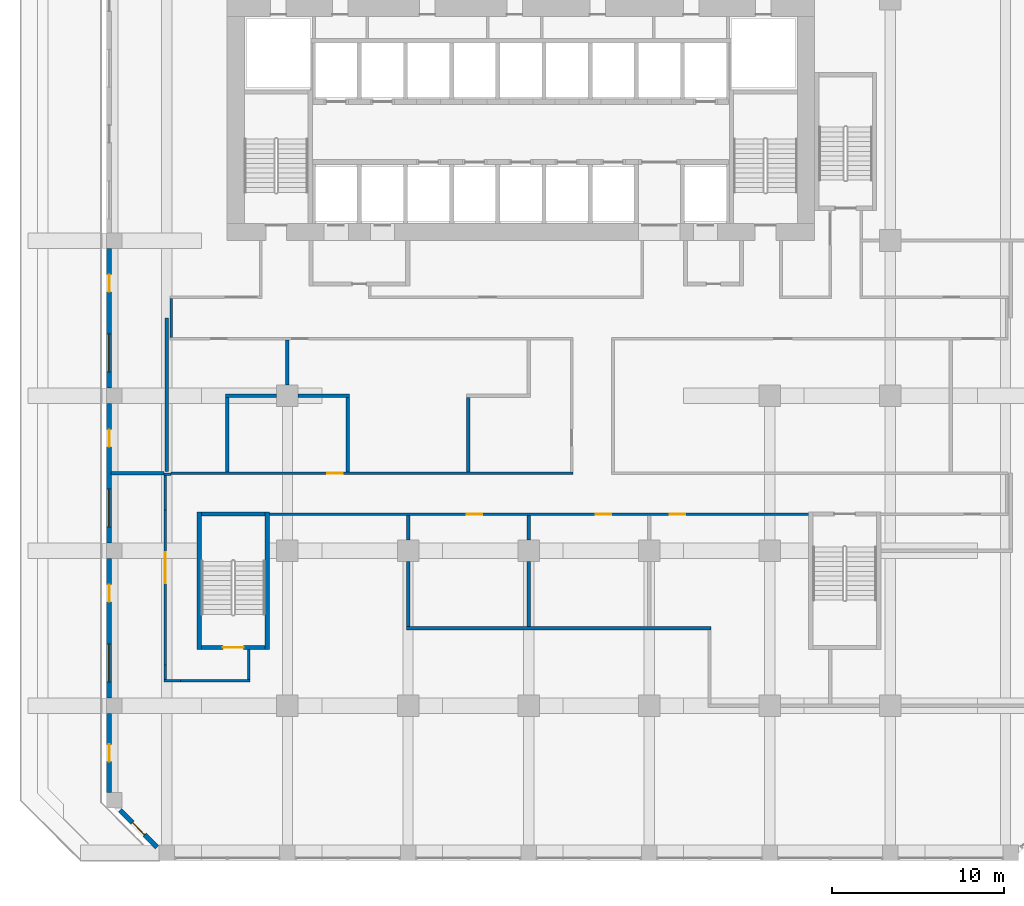
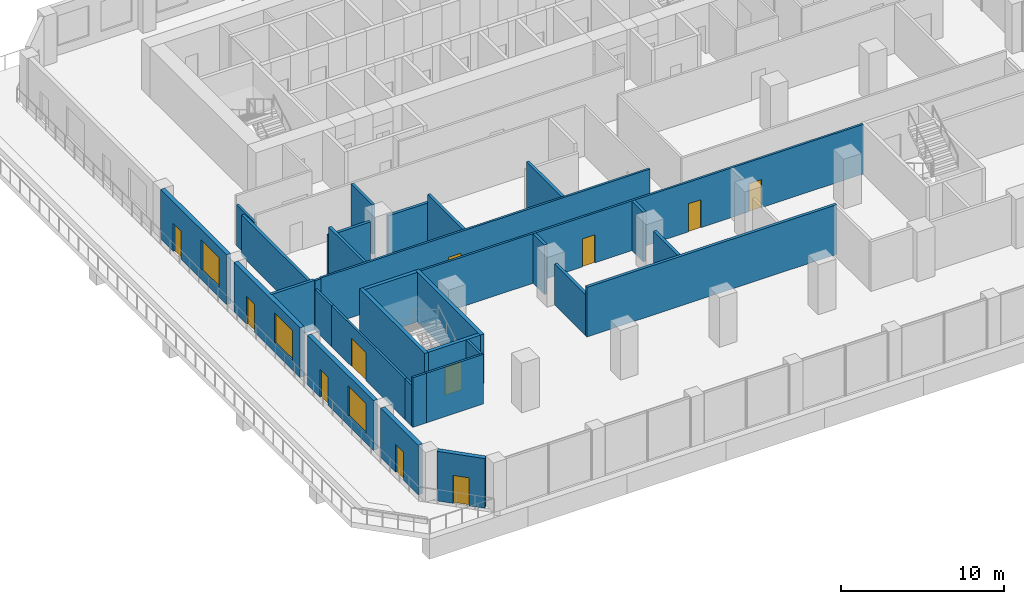
# One storey, part 12 of 20: 32 walls, 11 doors, 3 windows, 14 openings.
"""IFC4 building model written with IfcOpenShell, lengths in metres."""

from ifc_helpers import new_model, si_unit, direction, frame, frame_2d, origin, place, context, subcontext, project, spatial, rectangle, extrude, source, transform, mapped, material, layer, layer_set, type_object, element, fill, save


model = new_model("IFC4")

# Units and contexts
model_context = context("Model", 3, precision=1e-05, world=origin(), true_north=direction((0.0, 1.0)))
body_context = subcontext(model_context, "Body", "Model", "MODEL_VIEW")
ifc_project = project(units=[si_unit("LENGTHUNIT", "METRE"), si_unit("AREAUNIT", "SQUARE_METRE"), si_unit("VOLUMEUNIT", "CUBIC_METRE"), si_unit("PLANEANGLEUNIT", "RADIAN"), si_unit("MASSUNIT", "GRAM", prefix="KILO")], contexts=[model_context])

# Site, building, storey
site_placement = place(None, origin())
site = spatial("IfcSite", under=ifc_project, at=site_placement, CompositionType="ELEMENT")
building_placement = place(site_placement, origin())
building = spatial("IfcBuilding", under=site, at=building_placement, Name="Kilnfold Tower and Market Hall", CompositionType="ELEMENT")
storey_placement = place(building_placement, frame((0.0, 0.0, 63.199951171875)))
storey = spatial("IfcBuildingStorey", under=building, at=storey_placement, Name="L14", CompositionType="ELEMENT", Elevation=63.199951171875)

# Wall
ifc_material_1 = material(Name="Gypsum board on steel studs", Category="steel")
ifc_layer_1 = layer(ifc_material_1, 0.14990234375)
ifc_layer_set_1 = layer_set([ifc_layer_1], Name="Gypsum board on steel studs")
wall_type_1 = type_object("IfcWallType", Name="WALL CORRIDOR 150", PredefinedType="PARTITIONING", material=ifc_layer_set_1)
wall_1_placement = place(storey_placement, frame((-19.25, -5.572998046875, 0.0), z_axis=(0.0, 0.0, 1.0), x_axis=(-1.0, 0.0, 0.0)))
element("IfcWall", 1, at=wall_1_placement, inside=storey, type_object=wall_type_1, Name="Partition LY12.1", PredefinedType="PARTITIONING", context=body_context, shape_type="SweptSolid", body=[
    extrude(rectangle(XDim=0.427001953125, YDim=0.14990234375, at=frame_2d((0.21337890625, 0.0))), origin(), (0.0, 0.0, 1.0), 3.719970703125),
])

# Wall, openings, doors
wall_2_placement = place(storey_placement, frame((-13.60009765625, -7.89990234375, 0.0), z_axis=(0.0, 0.0, 1.0), x_axis=(1.0, 0.0, 0.0)))
wall_2 = element("IfcWall", 2, at=wall_2_placement, inside=storey, type_object=wall_type_1, Name="Partition LY12.2", PredefinedType="PARTITIONING", context=body_context, shape_type="SweptSolid", body=[
    extrude(rectangle(XDim=31.400146484375, YDim=0.14990234375, at=frame_2d((15.7001953125, 0.0))), origin(), (0.0, 0.0, 1.0), 3.719970703125),
])
opening_1_placement = place(wall_2_placement, frame((11.5009765625, 0.0, 0.0)))
opening_1 = element("IfcOpeningElement", 3, at=opening_1_placement, cuts=wall_2, Name="Opening D3", PredefinedType="OPENING", context=body_context, shape_type="SweptSolid", body=[
    extrude(rectangle(XDim=0.89990234375, YDim=2.10009765625, at=frame_2d((0.449951171875, 1.050048828125))), frame((0.0, 0.0849609375, 0.0), z_axis=(0.0, -1.0, 0.0), x_axis=(1.0, 0.0, 0.0)), (0.0, 0.0, 1.0), 0.169921875),
])
opening_2_placement = place(wall_2_placement, frame((19.0029296875, 0.0, 0.0)))
opening_2 = element("IfcOpeningElement", 4, at=opening_2_placement, cuts=wall_2, Name="Opening D2", PredefinedType="OPENING", context=body_context, shape_type="SweptSolid", body=[
    extrude(rectangle(XDim=0.89990234375, YDim=2.10009765625, at=frame_2d((0.449951171875, 1.050048828125))), frame((0.0, 0.0849609375, 0.0), z_axis=(0.0, -1.0, 0.0), x_axis=(1.0, 0.0, 0.0)), (0.0, 0.0, 1.0), 0.169921875),
])
opening_3_placement = place(wall_2_placement, frame((23.291015625, 0.0, 0.0)))
opening_3 = element("IfcOpeningElement", 5, at=opening_3_placement, cuts=wall_2, Name="Opening D2", PredefinedType="OPENING", context=body_context, shape_type="SweptSolid", body=[
    extrude(rectangle(XDim=0.89990234375, YDim=2.10009765625, at=frame_2d((0.449951171875, 1.050048828125))), frame((0.0, 0.0849609375, 0.0), z_axis=(0.0, -1.0, 0.0), x_axis=(1.0, 0.0, 0.0)), (0.0, 0.0, 1.0), 0.169921875),
])
ifc_material_2 = material(Name="Timber veneer door leaf in steel frame", Category="steel")
door_type_1 = type_object("IfcDoorType", Name="DOOR ROOM 900 X2100", OperationType="NOTDEFINED", PredefinedType="DOOR", material=ifc_material_2)
door_1_placement = place(opening_2_placement, origin())
door_1 = element("IfcDoor", 6, at=door_1_placement, inside=storey, type_object=door_type_1, Name="Door D2", OperationType="SINGLE_SWING_RIGHT", OverallHeight=2.10009765625, OverallWidth=0.89990234375, PredefinedType="DOOR", context=body_context, shape_type="SweptSolid", body=[
    extrude(rectangle(XDim=0.89990234375, YDim=2.10009765625, at=frame_2d((0.449951171875, 1.050048828125))), frame((0.0, 0.02490234375, 0.0), z_axis=(0.0, -1.0, 0.0), x_axis=(1.0, 0.0, 0.0)), (0.0, 0.0, 1.0), 0.050048828125),
])
fill(opening_2, door_1)
door_2_placement = place(opening_3_placement, origin())
door_2 = element("IfcDoor", 7, at=door_2_placement, inside=storey, type_object=door_type_1, Name="Door D2", OperationType="SINGLE_SWING_LEFT", OverallHeight=2.10009765625, OverallWidth=0.89990234375, PredefinedType="DOOR", context=body_context, shape_type="SweptSolid", body=[
    extrude(rectangle(XDim=0.89990234375, YDim=2.10009765625, at=frame_2d((0.449951171875, 1.050048828125))), frame((0.0, 0.02490234375, 0.0), z_axis=(0.0, -1.0, 0.0), x_axis=(1.0, 0.0, 0.0)), (0.0, 0.0, 1.0), 0.050048828125),
])
fill(opening_3, door_2)
ifc_material_3 = material(Name="Timber veneer door leaf in steel frame", Category="steel")
door_type_2 = type_object("IfcDoorType", Name="DOOR WC 900 X2100", OperationType="NOTDEFINED", PredefinedType="DOOR", material=ifc_material_3)
door_3_placement = place(opening_1_placement, origin())
door_3 = element("IfcDoor", 8, at=door_3_placement, inside=storey, type_object=door_type_2, Name="Door D3", OperationType="SINGLE_SWING_LEFT", OverallHeight=2.10009765625, OverallWidth=0.89990234375, PredefinedType="DOOR", context=body_context, shape_type="SweptSolid", body=[
    extrude(rectangle(XDim=0.89990234375, YDim=2.10009765625, at=frame_2d((0.449951171875, 1.050048828125))), frame((0.0, 0.02490234375, 0.0), z_axis=(0.0, -1.0, 0.0), x_axis=(1.0, 0.0, 0.0)), (0.0, 0.0, 1.0), 0.050048828125),
])
fill(opening_1, door_3)

# Walls
wall_3_placement = place(storey_placement, frame((-14.75, -17.47509765625, 0.0), z_axis=(0.0, 0.0, 1.0), x_axis=(0.0, 1.0, 0.0)))
element("IfcWall", 9, at=wall_3_placement, inside=storey, type_object=wall_type_1, Name="Partition LY12.3", PredefinedType="PARTITIONING", context=body_context, shape_type="SweptSolid", body=[
    extrude(rectangle(XDim=1.72509765625, YDim=0.14990234375, at=frame_2d((0.862548828125, 0.0))), origin(), (0.0, 0.0, 1.0), 3.719970703125),
])
wall_4_placement = place(storey_placement, frame((-18.697998046875, -17.550048828125, 0.0), z_axis=(0.0, 0.0, 1.0), x_axis=(1.0, 0.0, 0.0)))
element("IfcWall", 10, at=wall_4_placement, inside=storey, type_object=wall_type_1, Name="Partition LY12.4", PredefinedType="PARTITIONING", context=body_context, shape_type="SweptSolid", body=[
    extrude(rectangle(XDim=4.02294921875, YDim=0.14990234375, at=frame_2d((2.011474609375, 0.0))), origin(), (0.0, 0.0, 1.0), 3.719970703125),
])
wall_5_placement = place(storey_placement, frame((-19.677001953125, -17.552001953125, 0.0), z_axis=(0.0, 0.0, 1.0), x_axis=(1.0, 0.0, 0.0)))
element("IfcWall", 11, at=wall_5_placement, inside=storey, type_object=wall_type_1, Name="Partition LY12.5", PredefinedType="PARTITIONING", context=body_context, shape_type="SweptSolid", body=[
    extrude(rectangle(XDim=0.97900390625, YDim=0.14990234375, at=frame_2d((0.489501953125, 0.0))), origin(), (0.0, 0.0, 1.0), 3.719970703125),
])
wall_6_placement = place(storey_placement, frame((-19.60205078125, -17.47705078125, 0.0), z_axis=(0.0, 0.0, 1.0), x_axis=(0.0, 1.0, 0.0)))
element("IfcWall", 12, at=wall_6_placement, inside=storey, type_object=wall_type_1, Name="Partition LY12.6", PredefinedType="PARTITIONING", context=body_context, shape_type="SweptSolid", body=[
    extrude(rectangle(XDim=0.8291015625, YDim=0.14990234375, at=frame_2d((0.41455078125, 0.0))), origin(), (0.0, 0.0, 1.0), 3.070068359375),
])

# Wall, opening, door
wall_7_placement = place(storey_placement, frame((-19.60009765625, -7.652099609375, 0.0), z_axis=(0.0, 0.0, 1.0), x_axis=(0.0, -1.0, 0.0)))
wall_7 = element("IfcWall", 13, at=wall_7_placement, inside=storey, type_object=wall_type_1, Name="Partition LY12.7", PredefinedType="PARTITIONING", context=body_context, shape_type="SweptSolid", body=[
    extrude(rectangle(XDim=8.995849609375, YDim=0.14990234375, at=frame_2d((4.498046875, 0.0))), origin(), (0.0, 0.0, 1.0), 3.070068359375),
])
opening_4_placement = place(wall_7_placement, frame((2.431884765625, 0.0, 0.0)))
opening_4 = element("IfcOpeningElement", 14, at=opening_4_placement, cuts=wall_7, Name="Opening D5", PredefinedType="OPENING", context=body_context, shape_type="SweptSolid", body=[
    extrude(rectangle(XDim=1.800048828125, YDim=2.10009765625, at=frame_2d((0.89990234375, 1.050048828125))), frame((0.0, 0.0849609375, 0.0), z_axis=(0.0, -1.0, 0.0), x_axis=(1.0, 0.0, 0.0)), (0.0, 0.0, 1.0), 0.169921875),
])
ifc_material_4 = material(Name="Timber veneer door leaf in steel frame", Category="steel")
door_type_3 = type_object("IfcDoorType", Name="DOOR DOUBLE 1800 X2100", OperationType="NOTDEFINED", PredefinedType="DOOR", material=ifc_material_4)
door_4_placement = place(opening_4_placement, origin())
door_4 = element("IfcDoor", 15, at=door_4_placement, inside=storey, type_object=door_type_3, Name="Door D5", OperationType="DOUBLE_DOOR_SINGLE_SWING", OverallHeight=2.10009765625, OverallWidth=1.800048828125, PredefinedType="DOOR", context=body_context, shape_type="SweptSolid", body=[
    extrude(rectangle(XDim=1.800048828125, YDim=2.10009765625, at=frame_2d((0.89990234375, 1.050048828125))), frame((0.0, 0.02490234375, 0.0), z_axis=(0.0, -1.0, 0.0), x_axis=(1.0, 0.0, 0.0)), (0.0, 0.0, 1.0), 0.050048828125),
])
fill(opening_4, door_4)

# Wall
wall_8_placement = place(storey_placement, frame((-19.60205078125, -7.652099609375, 0.0), z_axis=(0.0, 0.0, 1.0), x_axis=(0.0, 1.0, 0.0)))
element("IfcWall", 16, at=wall_8_placement, inside=storey, type_object=wall_type_1, Name="Partition LY12.8", PredefinedType="PARTITIONING", context=body_context, shape_type="SweptSolid", body=[
    extrude(rectangle(XDim=2.004150390625, YDim=0.14990234375, at=frame_2d((1.001953125, 0.0))), origin(), (0.0, 0.0, 1.0), 3.070068359375),
])

# Wall, opening, door
wall_9_placement = place(storey_placement, frame((-19.25, -5.5, 0.0), z_axis=(0.0, 0.0, 1.0), x_axis=(1.0, 0.0, 0.0)))
wall_9 = element("IfcWall", 17, at=wall_9_placement, inside=storey, type_object=wall_type_1, Name="Partition LY12.9", PredefinedType="PARTITIONING", context=body_context, shape_type="SweptSolid", body=[
    extrude(rectangle(XDim=23.324951171875, YDim=0.14990234375, at=frame_2d((11.66259765625, 0.0))), origin(), (0.0, 0.0, 1.0), 3.719970703125),
])
opening_5_placement = place(wall_9_placement, frame((9.06005859375, 0.0, 0.0)))
opening_5 = element("IfcOpeningElement", 18, at=opening_5_placement, cuts=wall_9, Name="Opening D2", PredefinedType="OPENING", context=body_context, shape_type="SweptSolid", body=[
    extrude(rectangle(XDim=0.89990234375, YDim=2.10009765625, at=frame_2d((0.449951171875, 1.050048828125))), frame((0.0, 0.0849609375, 0.0), z_axis=(0.0, -1.0, 0.0), x_axis=(1.0, 0.0, 0.0)), (0.0, 0.0, 1.0), 0.169921875),
])
door_5_placement = place(opening_5_placement, origin())
door_5 = element("IfcDoor", 19, at=door_5_placement, inside=storey, type_object=door_type_1, Name="Door D2", OperationType="SINGLE_SWING_RIGHT", OverallHeight=2.10009765625, OverallWidth=0.89990234375, PredefinedType="DOOR", context=body_context, shape_type="SweptSolid", body=[
    extrude(rectangle(XDim=0.89990234375, YDim=2.10009765625, at=frame_2d((0.449951171875, 1.050048828125))), frame((0.0, 0.02490234375, 0.0), z_axis=(0.0, -1.0, 0.0), x_axis=(1.0, 0.0, 0.0)), (0.0, 0.0, 1.0), 0.050048828125),
])
fill(opening_5, door_5)

# Walls
wall_10_placement = place(storey_placement, frame((-19.25, 2.375, 0.0), z_axis=(0.0, 0.0, 1.0), x_axis=(0.0, 1.0, 0.0)))
element("IfcWall", 20, at=wall_10_placement, inside=storey, type_object=wall_type_1, Name="Partition LY12.11", PredefinedType="PARTITIONING", context=body_context, shape_type="SweptSolid", body=[
    extrude(rectangle(XDim=2.25, YDim=0.14990234375, at=frame_2d((1.125, 0.0))), origin(), (0.0, 0.0, 1.0), 3.070068359375),
])
ifc_material_5 = material(Name="Gypsum board on steel studs", Category="steel")
ifc_layer_2 = layer(ifc_material_5, 0.199951171875)
ifc_layer_set_2 = layer_set([ifc_layer_2], Name="Gypsum board on steel studs")
wall_type_2 = type_object("IfcWallType", Name="WALL PARTY 200", PredefinedType="PARTITIONING", material=ifc_layer_set_2)
wall_11_placement = place(storey_placement, frame((-19.677001953125, -5.5, 0.0), z_axis=(0.0, 0.0, 1.0), x_axis=(-1.0, 0.0, 0.0)))
element("IfcWall", 21, at=wall_11_placement, inside=storey, type_object=wall_type_2, Name="Partition LY12.30", PredefinedType="PARTITIONING", context=body_context, shape_type="SweptSolid", body=[
    extrude(rectangle(XDim=3.072998046875, YDim=0.199951171875, at=frame_2d((1.53662109375, 0.0))), origin(), (0.0, 0.0, 1.0), 3.719970703125),
])
wall_12_placement = place(storey_placement, frame((-5.5, -9.375, 0.0), z_axis=(0.0, 0.0, 1.0), x_axis=(0.0, 1.0, 0.0)))
element("IfcWall", 22, at=wall_12_placement, inside=storey, type_object=wall_type_2, Name="Partition LY12.31", PredefinedType="PARTITIONING", context=body_context, shape_type="SweptSolid", body=[
    extrude(rectangle(XDim=1.39892578125, YDim=0.199951171875, at=frame_2d((0.699462890625, 0.0))), origin(), (0.0, 0.0, 1.0), 3.719970703125),
])
wall_13_placement = place(storey_placement, frame((-5.5, -14.39990234375, 0.0), z_axis=(0.0, 0.0, 1.0), x_axis=(0.0, 1.0, 0.0)))
element("IfcWall", 23, at=wall_13_placement, inside=storey, type_object=wall_type_2, Name="Partition LY12.32", PredefinedType="PARTITIONING", context=body_context, shape_type="SweptSolid", body=[
    extrude(rectangle(XDim=3.77490234375, YDim=0.199951171875, at=frame_2d((1.887451171875, 0.0))), origin(), (0.0, 0.0, 1.0), 3.070068359375),
])
wall_14_placement = place(storey_placement, frame((-5.60009765625, -14.5, 0.0), z_axis=(0.0, 0.0, 1.0), x_axis=(1.0, 0.0, 0.0)))
element("IfcWall", 24, at=wall_14_placement, inside=storey, type_object=wall_type_2, Name="Partition LY12.33", PredefinedType="PARTITIONING", context=body_context, shape_type="SweptSolid", body=[
    extrude(rectangle(XDim=17.7001953125, YDim=0.199951171875, at=frame_2d((8.85009765625, 0.0))), origin(), (0.0, 0.0, 1.0), 3.719970703125),
])
wall_15_placement = place(storey_placement, frame((-19.5, 3.5, 0.0), z_axis=(0.0, 0.0, 1.0), x_axis=(0.0, -1.0, 0.0)))
element("IfcWall", 25, at=wall_15_placement, inside=storey, type_object=wall_type_2, Name="Partition LY12.38", PredefinedType="PARTITIONING", context=body_context, shape_type="SweptSolid", body=[
    extrude(rectangle(XDim=8.89990234375, YDim=0.199951171875, at=frame_2d((4.449951171875, 0.0))), origin(), (0.0, 0.0, 1.0), 3.070068359375),
])
wall_16_placement = place(storey_placement, frame((-16.10009765625, -1.0, 0.0), z_axis=(0.0, 0.0, 1.0), x_axis=(1.0, 0.0, 0.0)))
element("IfcWall", 26, at=wall_16_placement, inside=storey, type_object=wall_type_2, Name="Partition LY12.39", PredefinedType="PARTITIONING", context=body_context, shape_type="SweptSolid", body=[
    extrude(rectangle(XDim=2.97509765625, YDim=0.199951171875, at=frame_2d((1.487548828125, 0.0))), origin(), (0.0, 0.0, 1.0), 3.070068359375),
])
wall_17_placement = place(storey_placement, frame((-16.0, -5.424072265625, 0.0), z_axis=(0.0, 0.0, 1.0), x_axis=(0.0, 1.0, 0.0)))
element("IfcWall", 27, at=wall_17_placement, inside=storey, type_object=wall_type_2, Name="Partition LY12.40", PredefinedType="PARTITIONING", context=body_context, shape_type="SweptSolid", body=[
    extrude(rectangle(XDim=4.323974609375, YDim=0.199951171875, at=frame_2d((2.162109375, 0.0))), origin(), (0.0, 0.0, 1.0), 3.719970703125),
])
wall_18_placement = place(storey_placement, frame((-12.5, -0.375, 0.0), z_axis=(0.0, 0.0, 1.0), x_axis=(0.0, 1.0, 0.0)))
element("IfcWall", 28, at=wall_18_placement, inside=storey, type_object=wall_type_2, Name="Partition LY12.41", PredefinedType="PARTITIONING", context=body_context, shape_type="SweptSolid", body=[
    extrude(rectangle(XDim=2.59912109375, YDim=0.199951171875, at=frame_2d((1.299560546875, 0.0))), origin(), (0.0, 0.0, 1.0), 3.719970703125),
])
wall_19_placement = place(storey_placement, frame((-9.0, -5.424072265625, 0.0), z_axis=(0.0, 0.0, 1.0), x_axis=(0.0, 1.0, 0.0)))
element("IfcWall", 29, at=wall_19_placement, inside=storey, type_object=wall_type_2, Name="Partition LY12.44", PredefinedType="PARTITIONING", context=body_context, shape_type="SweptSolid", body=[
    extrude(rectangle(XDim=4.323974609375, YDim=0.199951171875, at=frame_2d((2.162109375, 0.0))), origin(), (0.0, 0.0, 1.0), 3.719970703125),
])
wall_20_placement = place(storey_placement, frame((-11.875, -1.0, 0.0), z_axis=(0.0, 0.0, 1.0), x_axis=(1.0, 0.0, 0.0)))
element("IfcWall", 30, at=wall_20_placement, inside=storey, type_object=wall_type_2, Name="Partition LY12.45", PredefinedType="PARTITIONING", context=body_context, shape_type="SweptSolid", body=[
    extrude(rectangle(XDim=2.97509765625, YDim=0.199951171875, at=frame_2d((1.487548828125, 0.0))), origin(), (0.0, 0.0, 1.0), 3.070068359375),
])
wall_21_placement = place(storey_placement, frame((-2.0, -5.424072265625, 0.0), z_axis=(0.0, 0.0, 1.0), x_axis=(0.0, 1.0, 0.0)))
element("IfcWall", 31, at=wall_21_placement, inside=storey, type_object=wall_type_2, Name="Partition LY12.48", PredefinedType="PARTITIONING", context=body_context, shape_type="SweptSolid", body=[
    extrude(rectangle(XDim=4.323974609375, YDim=0.199951171875, at=frame_2d((2.162109375, 0.0))), origin(), (0.0, 0.0, 1.0), 3.719970703125),
])
wall_22_placement = place(storey_placement, frame((1.5, -9.375, 0.0), z_axis=(0.0, 0.0, 1.0), x_axis=(0.0, 1.0, 0.0)))
element("IfcWall", 32, at=wall_22_placement, inside=storey, type_object=wall_type_2, Name="Partition LY12.49", PredefinedType="PARTITIONING", context=body_context, shape_type="SweptSolid", body=[
    extrude(rectangle(XDim=1.39892578125, YDim=0.199951171875, at=frame_2d((0.699462890625, 0.0))), origin(), (0.0, 0.0, 1.0), 3.719970703125),
])
wall_23_placement = place(storey_placement, frame((1.5, -14.39990234375, 0.0), z_axis=(0.0, 0.0, 1.0), x_axis=(0.0, 1.0, 0.0)))
element("IfcWall", 33, at=wall_23_placement, inside=storey, type_object=wall_type_2, Name="Partition LY12.50", PredefinedType="PARTITIONING", context=body_context, shape_type="SweptSolid", body=[
    extrude(rectangle(XDim=3.77490234375, YDim=0.199951171875, at=frame_2d((1.887451171875, 0.0))), origin(), (0.0, 0.0, 1.0), 3.070068359375),
])

# Wall, opening, door
ifc_material_6 = material(Name="Concrete C80", Category="concrete")
ifc_layer_3 = layer(ifc_material_6, 0.25)
ifc_layer_set_3 = layer_set([ifc_layer_3], Name="Concrete C80")
wall_type_3 = type_object("IfcWallType", Name="CORE WALL 250 C80", PredefinedType="SHEAR", material=ifc_layer_set_3)
shared_shape_1 = source(origin(), body_context, "Body", "SweptSolid", [
    extrude(rectangle(XDim=3.699951171875, YDim=0.25, at=frame_2d((1.85009765625, 0.0))), origin(), (0.0, 0.0, 1.0), 3.719970703125),
])
wall_24_placement = place(storey_placement, frame((-17.5, -15.625, 0.0), z_axis=(0.0, 0.0, 1.0), x_axis=(1.0, 0.0, 0.0)))
wall_24 = element("IfcWall", 34, at=wall_24_placement, inside=storey, type_object=wall_type_3, Name="Stair enclosure ST3", PredefinedType="SHEAR", context=body_context, shape_type="MappedRepresentation", body=[
    mapped(shared_shape_1, transform((0.0, 0.0, 0.0))),
])
opening_6_placement = place(wall_24_placement, frame((1.25, 0.0, 0.0)))
opening_6 = element("IfcOpeningElement", 35, at=opening_6_placement, cuts=wall_24, Name="Opening SD1", PredefinedType="OPENING", context=body_context, shape_type="SweptSolid", body=[
    extrude(rectangle(XDim=1.199951171875, YDim=2.10009765625, at=frame_2d((0.60009765625, 1.050048828125))), frame((0.0, 0.135009765625, 0.0), z_axis=(0.0, -1.0, 0.0), x_axis=(1.0, 0.0, 0.0)), (0.0, 0.0, 1.0), 0.27001953125),
])
ifc_material_7 = material(Name="Steel door set with fire-resisting leaf", Category="steel")
door_type_4 = type_object("IfcDoorType", Name="STAIR FLOOR DOOR 1200X2100", OperationType="NOTDEFINED", PredefinedType="DOOR", material=ifc_material_7)
door_6_placement = place(opening_6_placement, origin())
door_6 = element("IfcDoor", 36, at=door_6_placement, inside=storey, type_object=door_type_4, Name="Exit stair ST3 door", OperationType="DOUBLE_DOOR_SINGLE_SWING", OverallHeight=2.10009765625, OverallWidth=1.199951171875, PredefinedType="DOOR", context=body_context, shape_type="SweptSolid", body=[
    extrude(rectangle(XDim=1.199951171875, YDim=2.10009765625, at=frame_2d((0.60009765625, 1.050048828125))), frame((0.0, 0.02490234375, 0.0), z_axis=(0.0, -1.0, 0.0), x_axis=(1.0, 0.0, 0.0)), (0.0, 0.0, 1.0), 0.050048828125),
])
fill(opening_6, door_6)

# Walls
wall_25_placement = place(storey_placement, frame((-17.5, -7.875, 0.0), z_axis=(0.0, 0.0, 1.0), x_axis=(1.0, 0.0, 0.0)))
element("IfcWall", 37, at=wall_25_placement, inside=storey, type_object=wall_type_3, Name="Stair enclosure ST3", PredefinedType="SHEAR", context=body_context, shape_type="MappedRepresentation", body=[
    mapped(shared_shape_1, transform((0.0, 0.0, 0.0))),
])
shared_shape_2 = source(origin(), body_context, "Body", "SweptSolid", [
    extrude(rectangle(XDim=8.0, YDim=0.25, at=frame_2d((4.0, 0.0))), origin(), (0.0, 0.0, 1.0), 3.719970703125),
])
for number, where, z_axis, x_axis, name in (
    (38, (-17.625, -15.75, 0.0), (0.0, 0.0, 1.0), (0.0, 1.0, 0.0), "Stair enclosure ST3"),
    (39, (-13.675048828125, -15.75, 0.0), (0.0, 0.0, 1.0), (0.0, 1.0, 0.0), "Stair enclosure ST3"),
):
    element("IfcWall", number, at=place(storey_placement, frame(where, z_axis=z_axis, x_axis=x_axis)), inside=storey, type_object=wall_type_3, Name=name, PredefinedType="SHEAR", context=body_context, shape_type="MappedRepresentation", body=[
        mapped(shared_shape_2, transform((0.0, 0.0, 0.0))),
    ])

# Wall, openings, door, window
ifc_material_8 = material(Name="Precast concrete C50/60", Category="concrete")
ifc_layer_4 = layer(ifc_material_8, 0.300048828125)
ifc_layer_set_4 = layer_set([ifc_layer_4], Name="Precast concrete C50/60")
wall_type_4 = type_object("IfcWallType", Name="PRECAST WALL 300", PredefinedType="SOLIDWALL", material=ifc_layer_set_4)
shared_shape_3 = source(origin(), body_context, "Body", "SweptSolid", [
    extrude(rectangle(XDim=8.10009765625, YDim=0.300048828125, at=frame_2d((4.050048828125, 0.0))), origin(), (0.0, 0.0, 1.0), 3.719970703125),
])
wall_26_placement = place(storey_placement, frame((-22.85009765625, 7.550048828125, 0.0), z_axis=(0.0, 0.0, 1.0), x_axis=(0.0, -1.0, 0.0)))
wall_26 = element("IfcWall", 40, at=wall_26_placement, inside=storey, type_object=wall_type_4, Name="External wall L14 W", PredefinedType="SOLIDWALL", context=body_context, shape_type="MappedRepresentation", body=[
    mapped(shared_shape_3, transform((0.0, 0.0, 0.0))),
])
opening_7_placement = place(wall_26_placement, frame((1.52490234375, 0.0, 0.0)))
opening_7 = element("IfcOpeningElement", 41, at=opening_7_placement, cuts=wall_26, Name="Opening BD1", PredefinedType="OPENING", context=body_context, shape_type="SweptSolid", body=[
    extrude(rectangle(XDim=1.0, YDim=2.10009765625, at=frame_2d((0.5, 1.050048828125))), frame((0.0, 0.16015625, 0.0), z_axis=(0.0, -1.0, 0.0), x_axis=(1.0, 0.0, 0.0)), (0.0, 0.0, 1.0), 0.320068359375),
])
opening_8_placement = place(wall_26_placement, frame((4.97509765625, 0.0, 0.699951171875)))
opening_8 = element("IfcOpeningElement", 42, at=opening_8_placement, cuts=wall_26, Name="Opening W1", PredefinedType="OPENING", context=body_context, shape_type="SweptSolid", body=[
    extrude(rectangle(XDim=2.199951171875, YDim=2.25, at=frame_2d((1.10009765625, 1.125))), frame((0.0, 0.16015625, 0.0), z_axis=(0.0, -1.0, 0.0), x_axis=(1.0, 0.0, 0.0)), (0.0, 0.0, 1.0), 0.320068359375),
])
ifc_material_9 = material(Name="Aluminium frame and double glazing", Category="aluminium")
door_type_5 = type_object("IfcDoorType", Name="BALCONY DOOR 1000X2100", OperationType="NOTDEFINED", PredefinedType="DOOR", material=ifc_material_9)
door_7_placement = place(opening_7_placement, origin())
door_7 = element("IfcDoor", 43, at=door_7_placement, inside=storey, type_object=door_type_5, Name="Balcony door BD1 L14 W-1", OperationType="SINGLE_SWING_LEFT", OverallHeight=2.10009765625, OverallWidth=1.0, PredefinedType="DOOR", context=body_context, shape_type="SweptSolid", body=[
    extrude(rectangle(XDim=1.0, YDim=2.10009765625, at=frame_2d((0.5, 1.050048828125))), frame((0.0, 0.02490234375, 0.0), z_axis=(0.0, -1.0, 0.0), x_axis=(1.0, 0.0, 0.0)), (0.0, 0.0, 1.0), 0.050048828125),
])
fill(opening_7, door_7)
ifc_material_10 = material(Name="Aluminium frame and double glazing", Category="aluminium")
window_type = type_object("IfcWindowType", Name="WINDOW W1 2200X2250", PartitioningType="SINGLE_PANEL", PredefinedType="WINDOW", material=ifc_material_10)
window_1_placement = place(opening_8_placement, origin())
window_1 = element("IfcWindow", 44, at=window_1_placement, inside=storey, type_object=window_type, Name="Window W1 L14 W-2", OverallHeight=2.25, OverallWidth=2.199951171875, PartitioningType="SINGLE_PANEL", PredefinedType="WINDOW", context=body_context, shape_type="SweptSolid", body=[
    extrude(rectangle(XDim=2.199951171875, YDim=2.25, at=frame_2d((1.10009765625, 1.125))), frame((0.0, 0.030029296875, 0.0), z_axis=(0.0, -1.0, 0.0), x_axis=(1.0, 0.0, 0.0)), (0.0, 0.0, 1.0), 0.06005859375),
])
fill(opening_8, window_1)

wall_27_placement = place(storey_placement, frame((-22.85009765625, -1.449951171875, 0.0), z_axis=(0.0, 0.0, 1.0), x_axis=(0.0, -1.0, 0.0)))
wall_27 = element("IfcWall", 45, at=wall_27_placement, inside=storey, type_object=wall_type_4, Name="External wall L14 W", PredefinedType="SOLIDWALL", context=body_context, shape_type="MappedRepresentation", body=[
    mapped(shared_shape_3, transform((0.0, 0.0, 0.0))),
])
opening_9_placement = place(wall_27_placement, frame((1.52490234375, 0.0, 0.0)))
opening_9 = element("IfcOpeningElement", 46, at=opening_9_placement, cuts=wall_27, Name="Opening BD1", PredefinedType="OPENING", context=body_context, shape_type="SweptSolid", body=[
    extrude(rectangle(XDim=1.0, YDim=2.10009765625, at=frame_2d((0.5, 1.050048828125))), frame((0.0, 0.16015625, 0.0), z_axis=(0.0, -1.0, 0.0), x_axis=(1.0, 0.0, 0.0)), (0.0, 0.0, 1.0), 0.320068359375),
])
opening_10_placement = place(wall_27_placement, frame((4.97509765625, 0.0, 0.699951171875)))
opening_10 = element("IfcOpeningElement", 47, at=opening_10_placement, cuts=wall_27, Name="Opening W1", PredefinedType="OPENING", context=body_context, shape_type="SweptSolid", body=[
    extrude(rectangle(XDim=2.199951171875, YDim=2.25, at=frame_2d((1.10009765625, 1.125))), frame((0.0, 0.16015625, 0.0), z_axis=(0.0, -1.0, 0.0), x_axis=(1.0, 0.0, 0.0)), (0.0, 0.0, 1.0), 0.320068359375),
])
door_8_placement = place(opening_9_placement, origin())
door_8 = element("IfcDoor", 48, at=door_8_placement, inside=storey, type_object=door_type_5, Name="Balcony door BD1 L14 W-1", OperationType="SINGLE_SWING_LEFT", OverallHeight=2.10009765625, OverallWidth=1.0, PredefinedType="DOOR", context=body_context, shape_type="SweptSolid", body=[
    extrude(rectangle(XDim=1.0, YDim=2.10009765625, at=frame_2d((0.5, 1.050048828125))), frame((0.0, 0.02490234375, 0.0), z_axis=(0.0, -1.0, 0.0), x_axis=(1.0, 0.0, 0.0)), (0.0, 0.0, 1.0), 0.050048828125),
])
fill(opening_9, door_8)
window_2_placement = place(opening_10_placement, origin())
window_2 = element("IfcWindow", 49, at=window_2_placement, inside=storey, type_object=window_type, Name="Window W1 L14 W-2", OverallHeight=2.25, OverallWidth=2.199951171875, PartitioningType="SINGLE_PANEL", PredefinedType="WINDOW", context=body_context, shape_type="SweptSolid", body=[
    extrude(rectangle(XDim=2.199951171875, YDim=2.25, at=frame_2d((1.10009765625, 1.125))), frame((0.0, 0.030029296875, 0.0), z_axis=(0.0, -1.0, 0.0), x_axis=(1.0, 0.0, 0.0)), (0.0, 0.0, 1.0), 0.06005859375),
])
fill(opening_10, window_2)

wall_28_placement = place(storey_placement, frame((-22.85009765625, -10.449951171875, 0.0), z_axis=(0.0, 0.0, 1.0), x_axis=(0.0, -1.0, 0.0)))
wall_28 = element("IfcWall", 50, at=wall_28_placement, inside=storey, type_object=wall_type_4, Name="External wall L14 W", PredefinedType="SOLIDWALL", context=body_context, shape_type="MappedRepresentation", body=[
    mapped(shared_shape_3, transform((0.0, 0.0, 0.0))),
])
opening_11_placement = place(wall_28_placement, frame((1.52490234375, 0.0, 0.0)))
opening_11 = element("IfcOpeningElement", 51, at=opening_11_placement, cuts=wall_28, Name="Opening BD1", PredefinedType="OPENING", context=body_context, shape_type="SweptSolid", body=[
    extrude(rectangle(XDim=1.0, YDim=2.10009765625, at=frame_2d((0.5, 1.050048828125))), frame((0.0, 0.16015625, 0.0), z_axis=(0.0, -1.0, 0.0), x_axis=(1.0, 0.0, 0.0)), (0.0, 0.0, 1.0), 0.320068359375),
])
opening_12_placement = place(wall_28_placement, frame((4.97509765625, 0.0, 0.699951171875)))
opening_12 = element("IfcOpeningElement", 52, at=opening_12_placement, cuts=wall_28, Name="Opening W1", PredefinedType="OPENING", context=body_context, shape_type="SweptSolid", body=[
    extrude(rectangle(XDim=2.199951171875, YDim=2.25, at=frame_2d((1.10009765625, 1.125))), frame((0.0, 0.16015625, 0.0), z_axis=(0.0, -1.0, 0.0), x_axis=(1.0, 0.0, 0.0)), (0.0, 0.0, 1.0), 0.320068359375),
])
door_9_placement = place(opening_11_placement, origin())
door_9 = element("IfcDoor", 53, at=door_9_placement, inside=storey, type_object=door_type_5, Name="Balcony door BD1 L14 W-1", OperationType="SINGLE_SWING_LEFT", OverallHeight=2.10009765625, OverallWidth=1.0, PredefinedType="DOOR", context=body_context, shape_type="SweptSolid", body=[
    extrude(rectangle(XDim=1.0, YDim=2.10009765625, at=frame_2d((0.5, 1.050048828125))), frame((0.0, 0.02490234375, 0.0), z_axis=(0.0, -1.0, 0.0), x_axis=(1.0, 0.0, 0.0)), (0.0, 0.0, 1.0), 0.050048828125),
])
fill(opening_11, door_9)
window_3_placement = place(opening_12_placement, origin())
window_3 = element("IfcWindow", 54, at=window_3_placement, inside=storey, type_object=window_type, Name="Window W1 L14 W-2", OverallHeight=2.25, OverallWidth=2.199951171875, PartitioningType="SINGLE_PANEL", PredefinedType="WINDOW", context=body_context, shape_type="SweptSolid", body=[
    extrude(rectangle(XDim=2.199951171875, YDim=2.25, at=frame_2d((1.10009765625, 1.125))), frame((0.0, 0.030029296875, 0.0), z_axis=(0.0, -1.0, 0.0), x_axis=(1.0, 0.0, 0.0)), (0.0, 0.0, 1.0), 0.06005859375),
])
fill(opening_12, window_3)

# Wall, opening, door
shared_shape_4 = source(origin(), body_context, "Body", "SweptSolid", [
    extrude(rectangle(XDim=4.60009765625, YDim=0.300048828125, at=frame_2d((2.300048828125, 0.0))), origin(), (0.0, 0.0, 1.0), 3.719970703125),
])
wall_29_placement = place(storey_placement, frame((-22.85009765625, -19.449951171875, 0.0), z_axis=(0.0, 0.0, 1.0), x_axis=(0.0, -1.0, 0.0)))
wall_29 = element("IfcWall", 55, at=wall_29_placement, inside=storey, type_object=wall_type_4, Name="External wall L14 W", PredefinedType="SOLIDWALL", context=body_context, shape_type="MappedRepresentation", body=[
    mapped(shared_shape_4, transform((0.0, 0.0, 0.0))),
])
opening_13_placement = place(wall_29_placement, frame((1.800048828125, 0.0, 0.0)))
opening_13 = element("IfcOpeningElement", 56, at=opening_13_placement, cuts=wall_29, Name="Opening BD1", PredefinedType="OPENING", context=body_context, shape_type="SweptSolid", body=[
    extrude(rectangle(XDim=1.0, YDim=2.10009765625, at=frame_2d((0.5, 1.050048828125))), frame((0.0, 0.16015625, 0.0), z_axis=(0.0, -1.0, 0.0), x_axis=(1.0, 0.0, 0.0)), (0.0, 0.0, 1.0), 0.320068359375),
])
door_10_placement = place(opening_13_placement, origin())
door_10 = element("IfcDoor", 57, at=door_10_placement, inside=storey, type_object=door_type_5, Name="Balcony door BD1 L14 W-1", OperationType="SINGLE_SWING_LEFT", OverallHeight=2.10009765625, OverallWidth=1.0, PredefinedType="DOOR", context=body_context, shape_type="SweptSolid", body=[
    extrude(rectangle(XDim=1.0, YDim=2.10009765625, at=frame_2d((0.5, 1.050048828125))), frame((0.0, 0.02490234375, 0.0), z_axis=(0.0, -1.0, 0.0), x_axis=(1.0, 0.0, 0.0)), (0.0, 0.0, 1.0), 0.050048828125),
])
fill(opening_13, door_10)

shared_shape_5 = source(origin(), body_context, "Body", "SweptSolid", [
    extrude(rectangle(XDim=3.040771484375, YDim=0.300048828125, at=frame_2d((1.5205078125, 0.0))), origin(), (0.0, 0.0, 1.0), 3.719970703125),
])
wall_30_placement = place(storey_placement, frame((-22.218994140625, -25.06884765625, 0.0), z_axis=(0.0, 0.0, 1.0), x_axis=(0.707106781187, -0.707106781187, 0.0)))
wall_30 = element("IfcWall", 58, at=wall_30_placement, inside=storey, type_object=wall_type_4, Name="External wall L14 SW", PredefinedType="SOLIDWALL", context=body_context, shape_type="MappedRepresentation", body=[
    mapped(shared_shape_5, transform((0.0, 0.0, 0.0))),
])
opening_14_placement = place(wall_30_placement, frame((1.020263671875, 0.0, 0.0)))
opening_14 = element("IfcOpeningElement", 59, at=opening_14_placement, cuts=wall_30, Name="Opening BD1", PredefinedType="OPENING", context=body_context, shape_type="SweptSolid", body=[
    extrude(rectangle(XDim=1.0, YDim=2.10009765625, at=frame_2d((0.5, 1.050048828125))), frame((0.0, 0.16015625, 0.0), z_axis=(0.0, -1.0, 0.0), x_axis=(1.0, 0.0, 0.0)), (0.0, 0.0, 1.0), 0.320068359375),
])
door_11_placement = place(opening_14_placement, origin())
door_11 = element("IfcDoor", 60, at=door_11_placement, inside=storey, type_object=door_type_5, Name="Balcony door BD1 L14 SW-1", OperationType="SINGLE_SWING_LEFT", OverallHeight=2.10009765625, OverallWidth=1.0, PredefinedType="DOOR", context=body_context, shape_type="SweptSolid", body=[
    extrude(rectangle(XDim=1.0, YDim=2.10009765625, at=frame_2d((0.5, 1.050048828125))), frame((0.0, 0.02490234375, 0.0), z_axis=(0.0, -1.0, 0.0), x_axis=(1.0, 0.0, 0.0)), (0.0, 0.0, 1.0), 0.050048828125),
])
fill(opening_14, door_11)

save(model, "model.ifc")
